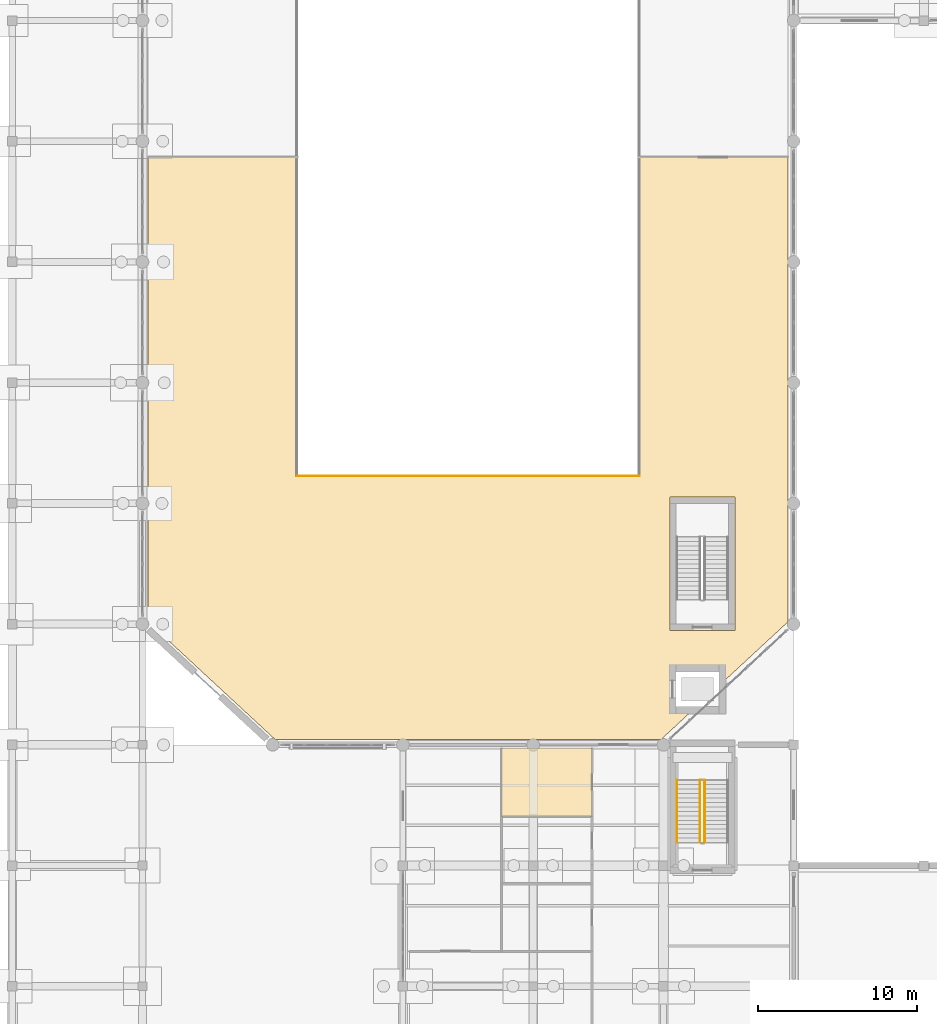
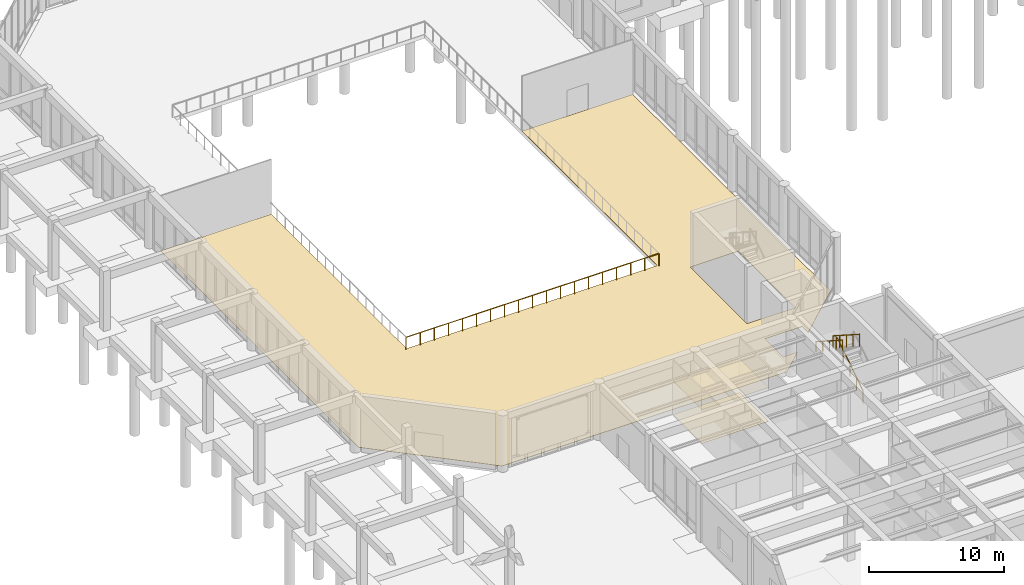
# One storey, part 55 of 64: 4 railings, 3 coverings.
"""IFC4 building model written with IfcOpenShell, lengths in metres."""

from ifc_helpers import new_model, si_unit, direction, frame, origin, origin_2d, place, context, subcontext, project, spatial, polyline, circle, outline, extrude, material, layer, layer_set, type_object, element, save


model = new_model("IFC4")

# Units and contexts
model_context = context("Model", 3, precision=1e-05, world=origin(), true_north=direction((0.0, 1.0)))
body_context = subcontext(model_context, "Body", "Model", "MODEL_VIEW")
ifc_project = project(units=[si_unit("LENGTHUNIT", "METRE"), si_unit("AREAUNIT", "SQUARE_METRE"), si_unit("VOLUMEUNIT", "CUBIC_METRE"), si_unit("PLANEANGLEUNIT", "RADIAN"), si_unit("MASSUNIT", "GRAM", prefix="KILO")], contexts=[model_context])

# Site, building, storey
site_placement = place(None, origin())
site = spatial("IfcSite", under=ifc_project, at=site_placement, CompositionType="ELEMENT")
building_placement = place(site_placement, origin())
building = spatial("IfcBuilding", under=site, at=building_placement, Name="Qandaris Square Conservatory and Botanical Centre", CompositionType="ELEMENT")
storey_placement = place(building_placement, origin())
storey = spatial("IfcBuildingStorey", under=building, at=storey_placement, Name="L00", CompositionType="ELEMENT", Elevation=0.0)

# Railing
ifc_material_1 = material(Name="Tempered Low-E Glass", Category="glass")
railing_type_1 = type_object("IfcRailingType", Name="Conservatory Skywalk Glazed Balustrade 1150mm", PredefinedType="BALUSTRADE", material=ifc_material_1)
railing_1_placement = place(storey_placement, frame((25.919921875, 63.919921875, 0.0)))
element("IfcRailing", 1, at=railing_1_placement, inside=storey, type_object=railing_type_1, Name="Conservatory Sunken Biome Balustrade 1", PredefinedType="BALUSTRADE", context=body_context, shape_type="SweptSolid", body=[
    extrude(circle(Radius=0.02392578125, at=origin_2d()), frame((0.0, 0.0, 1.1259765625), z_axis=(1.0, 0.0, 0.0), x_axis=(0.0, 1.0, 0.0)), (0.0, 0.0, 1.0), 21.56005859375),
    extrude(circle(Radius=0.02099609375, at=origin_2d()), origin(), (0.0, 0.0, 1.0), 1.101806640625),
    extrude(circle(Radius=0.02099609375, at=origin_2d()), frame((1.19775390625, 0.0, 0.0)), (0.0, 0.0, 1.0), 1.101806640625),
    extrude(circle(Radius=0.02099609375, at=origin_2d()), frame((2.3955078125, 0.0, 0.0)), (0.0, 0.0, 1.0), 1.101806640625),
    extrude(circle(Radius=0.02099609375, at=origin_2d()), frame((3.59326171875, 0.0, 0.0)), (0.0, 0.0, 1.0), 1.101806640625),
    extrude(circle(Radius=0.02099609375, at=origin_2d()), frame((4.791015625, 0.0, 0.0)), (0.0, 0.0, 1.0), 1.101806640625),
    extrude(circle(Radius=0.02099609375, at=origin_2d()), frame((5.989013671875, 0.0, 0.0)), (0.0, 0.0, 1.0), 1.101806640625),
    extrude(circle(Radius=0.02099609375, at=origin_2d()), frame((7.186767578125, 0.0, 0.0)), (0.0, 0.0, 1.0), 1.101806640625),
    extrude(circle(Radius=0.02099609375, at=origin_2d()), frame((8.384521484375, 0.0, 0.0)), (0.0, 0.0, 1.0), 1.101806640625),
    extrude(circle(Radius=0.02099609375, at=origin_2d()), frame((9.582275390625, 0.0, 0.0)), (0.0, 0.0, 1.0), 1.101806640625),
    extrude(circle(Radius=0.02099609375, at=origin_2d()), frame((10.780029296875, 0.0, 0.0)), (0.0, 0.0, 1.0), 1.101806640625),
    extrude(circle(Radius=0.02099609375, at=origin_2d()), frame((11.977783203125, 0.0, 0.0)), (0.0, 0.0, 1.0), 1.101806640625),
    extrude(circle(Radius=0.02099609375, at=origin_2d()), frame((13.175537109375, 0.0, 0.0)), (0.0, 0.0, 1.0), 1.101806640625),
    extrude(circle(Radius=0.02099609375, at=origin_2d()), frame((14.373291015625, 0.0, 0.0)), (0.0, 0.0, 1.0), 1.101806640625),
    extrude(circle(Radius=0.02099609375, at=origin_2d()), frame((15.571044921875, 0.0, 0.0)), (0.0, 0.0, 1.0), 1.101806640625),
    extrude(circle(Radius=0.02099609375, at=origin_2d()), frame((16.76904296875, 0.0, 0.0)), (0.0, 0.0, 1.0), 1.101806640625),
    extrude(circle(Radius=0.02099609375, at=origin_2d()), frame((17.966796875, 0.0, 0.0)), (0.0, 0.0, 1.0), 1.101806640625),
    extrude(circle(Radius=0.02099609375, at=origin_2d()), frame((19.16455078125, 0.0, 0.0)), (0.0, 0.0, 1.0), 1.101806640625),
    extrude(circle(Radius=0.02099609375, at=origin_2d()), frame((20.3623046875, 0.0, 0.0)), (0.0, 0.0, 1.0), 1.101806640625),
    extrude(circle(Radius=0.02099609375, at=origin_2d()), frame((21.56005859375, 0.0, 0.0)), (0.0, 0.0, 1.0), 1.101806640625),
])

# Coverings
ifc_material_2 = material(Name="Honed Qatari Limestone", Category="masonry")
ifc_layer_1 = layer(ifc_material_2, 0.030029296875)
ifc_layer_set_1 = layer_set([ifc_layer_1], Name="Honed Qatari Limestone")
covering_type_1 = type_object("IfcCoveringType", Name="Honed Qatari Limestone Concourse Paving", PredefinedType="FLOORING", material=ifc_layer_set_1)
covering_1_placement = place(storey_placement, origin())
element("IfcCovering", 2, at=covering_1_placement, inside=storey, type_object=covering_type_1, Name="Conservatory Arid and Oasis Biome Hall Flooring", PredefinedType="FLOORING", context=body_context, shape_type="SweptSolid", body=[
    extrude(outline(polyline([(26.0, 64.0), (47.39990234375, 64.0), (47.39990234375, 84.0), (56.85009765625, 84.0), (56.85009765625, 54.752685546875), (52.739990234375, 50.943603515625), (52.739990234375, 51.840087890625), (49.56005859375, 51.840087890625), (49.56005859375, 49.159912109375), (50.815673828125, 49.159912109375), (48.86279296875, 47.35009765625), (24.537353515625, 47.35009765625), (16.550048828125, 54.752685546875), (16.550048828125, 84.0), (26.0, 84.0), (26.0, 64.0)]), holes=[polyline([(49.39990234375, 54.199951171875), (53.5, 54.199951171875), (53.5, 62.60009765625), (49.39990234375, 62.60009765625), (49.39990234375, 54.199951171875)])]), origin(), (0.0, 0.0, 1.0), 0.030029296875),
])
ifc_material_3 = material(Name="Gypsum Plasterboard", Category="gypsum")
ifc_layer_2 = layer(ifc_material_3, 0.02490234375)
ifc_layer_set_2 = layer_set([ifc_layer_2], Name="Gypsum Plasterboard")
covering_type_2 = type_object("IfcCoveringType", Name="Perforated Acoustic Lab Ceiling Tile", PredefinedType="CEILING", material=ifc_layer_set_2)
covering_2_placement = place(storey_placement, frame((0.0, 0.0, 3.050048828125)))
element("IfcCovering", 3, at=covering_2_placement, inside=storey, type_object=covering_type_2, Name="Visitor Female Restroom Ceiling", PredefinedType="CEILING", context=body_context, shape_type="SweptSolid", body=[
    extrude(outline(polyline([(38.800048828125, 46.800048828125), (44.5, 46.800048828125), (44.5, 42.5), (38.800048828125, 42.5), (38.800048828125, 46.800048828125)])), origin(), (0.0, 0.0, 1.0), 0.02490234375),
])
ifc_material_4 = material(Name="Epoxy Resin Screed", Category="finish")
ifc_layer_3 = layer(ifc_material_4, 0.014892578125)
ifc_layer_set_3 = layer_set([ifc_layer_3], Name="Epoxy Resin Screed")
covering_type_3 = type_object("IfcCoveringType", Name="Seamless Epoxy Laboratory Flooring", PredefinedType="FLOORING", material=ifc_layer_set_3)
covering_3_placement = place(storey_placement, origin())
element("IfcCovering", 4, at=covering_3_placement, inside=storey, type_object=covering_type_3, Name="Visitor Female Restroom Flooring", PredefinedType="FLOORING", context=body_context, shape_type="SweptSolid", body=[
    extrude(outline(polyline([(38.800048828125, 46.800048828125), (44.5, 46.800048828125), (44.5, 42.5), (38.800048828125, 42.5), (38.800048828125, 46.800048828125)])), origin(), (0.0, 0.0, 1.0), 0.014892578125),
])

# Railings
ifc_material_5 = material(Name="Stainless Steel", Category="steel")
railing_type_2 = type_object("IfcRailingType", Name="Stair Tubular Handrail 920mm", PredefinedType="HANDRAIL", material=ifc_material_5)
railing_2_placement = place(storey_placement, frame((49.85009765625, 44.77001953125, 3.06005859375)))
element("IfcRailing", 5, at=railing_2_placement, inside=storey, type_object=railing_type_2, Name="L00 ST-4 stair handrail 2", PredefinedType="HANDRAIL", context=body_context, shape_type="SweptSolid", body=[
    extrude(circle(Radius=0.02392578125, at=origin_2d()), frame((0.0, 0.0, 0.89599609375), z_axis=(0.0, -0.841171666519, 0.540768182723), x_axis=(1.0, 0.0, 0.0)), (0.0, 0.0, 1.0), 4.66015625),
    extrude(circle(Radius=0.02099609375, at=origin_2d()), origin(), (0.0, 0.0, 1.0), 0.871826171875),
    extrude(circle(Radius=0.02099609375, at=origin_2d()), frame((0.0, -0.97998046875, 0.6298828125)), (0.0, 0.0, 1.0), 0.871826171875),
    extrude(circle(Radius=0.02099609375, at=origin_2d()), frame((0.0, -1.9599609375, 1.260009765625)), (0.0, 0.0, 1.0), 0.871826171875),
    extrude(circle(Radius=0.02099609375, at=origin_2d()), frame((0.0, -2.93994140625, 1.89013671875)), (0.0, 0.0, 1.0), 0.871826171875),
    extrude(circle(Radius=0.02099609375, at=origin_2d()), frame((0.0, -3.919921875, 2.52001953125)), (0.0, 0.0, 1.0), 0.871826171875),
])
railing_type_3 = type_object("IfcRailingType", Name="Stairwell & Atrium Guardrail 1120mm", PredefinedType="GUARDRAIL", material=ifc_material_5)
railing_3_placement = place(storey_placement, frame((51.60009765625, 40.85009765625, 0.179931640625)))
element("IfcRailing", 6, at=railing_3_placement, inside=storey, type_object=railing_type_3, Name="L00 ST-4 stair guard 1", PredefinedType="GUARDRAIL", context=body_context, shape_type="SweptSolid", body=[
    extrude(circle(Radius=0.02392578125, at=origin_2d()), frame((0.0, 0.0, 1.09619140625), z_axis=(0.0, 0.841171666519, 0.540768182723), x_axis=(-1.0, 0.0, 0.0)), (0.0, 0.0, 1.0), 4.66015625),
    extrude(circle(Radius=0.02099609375, at=origin_2d()), origin(), (0.0, 0.0, 1.0), 1.072021484375),
    extrude(circle(Radius=0.02099609375, at=origin_2d()), frame((0.0, 0.97998046875, 0.6298828125)), (0.0, 0.0, 1.0), 1.072021484375),
    extrude(circle(Radius=0.02099609375, at=origin_2d()), frame((0.0, 1.9599609375, 1.260009765625)), (0.0, 0.0, 1.0), 1.072021484375),
    extrude(circle(Radius=0.02099609375, at=origin_2d()), frame((0.0, 2.93994140625, 1.89013671875)), (0.0, 0.0, 1.0), 1.072021484375),
    extrude(circle(Radius=0.02099609375, at=origin_2d()), frame((0.0, 3.919921875, 2.52001953125)), (0.0, 0.0, 1.0), 1.072021484375),
])
railing_4_placement = place(storey_placement, frame((51.300048828125, 44.77001953125, 2.8798828125)))
element("IfcRailing", 7, at=railing_4_placement, inside=storey, type_object=railing_type_3, Name="L00 ST-4 stair guard 3", PredefinedType="GUARDRAIL", context=body_context, shape_type="SweptSolid", body=[
    extrude(circle(Radius=0.02392578125, at=origin_2d()), frame((0.0, 0.0, 1.09619140625), z_axis=(0.0, -0.841171666519, 0.540768182723), x_axis=(1.0, 0.0, 0.0)), (0.0, 0.0, 1.0), 4.66015625),
    extrude(circle(Radius=0.02099609375, at=origin_2d()), origin(), (0.0, 0.0, 1.0), 1.072021484375),
    extrude(circle(Radius=0.02099609375, at=origin_2d()), frame((0.0, -0.97998046875, 0.6298828125)), (0.0, 0.0, 1.0), 1.072021484375),
    extrude(circle(Radius=0.02099609375, at=origin_2d()), frame((0.0, -1.9599609375, 1.260009765625)), (0.0, 0.0, 1.0), 1.072021484375),
    extrude(circle(Radius=0.02099609375, at=origin_2d()), frame((0.0, -2.93994140625, 1.89013671875)), (0.0, 0.0, 1.0), 1.072021484375),
    extrude(circle(Radius=0.02099609375, at=origin_2d()), frame((0.0, -3.919921875, 2.52001953125)), (0.0, 0.0, 1.0), 1.072021484375),
])

save(model, "model.ifc")
